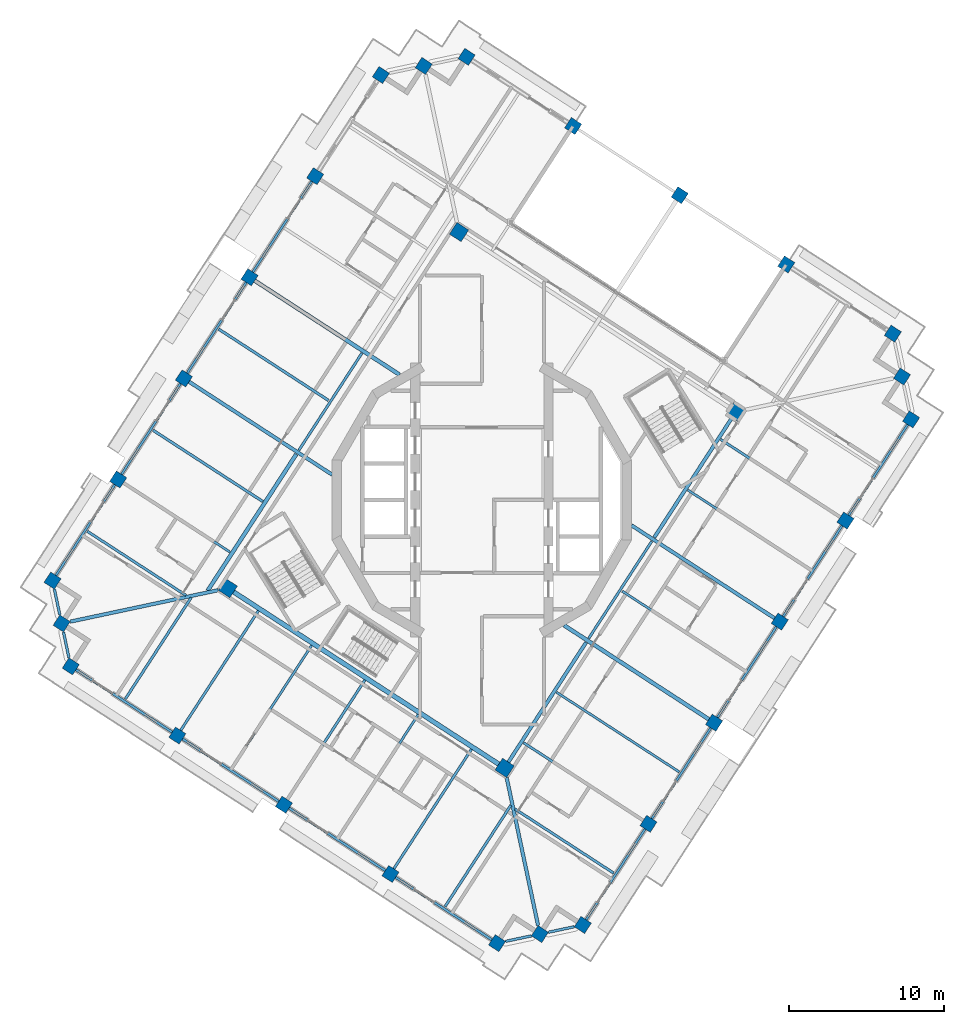
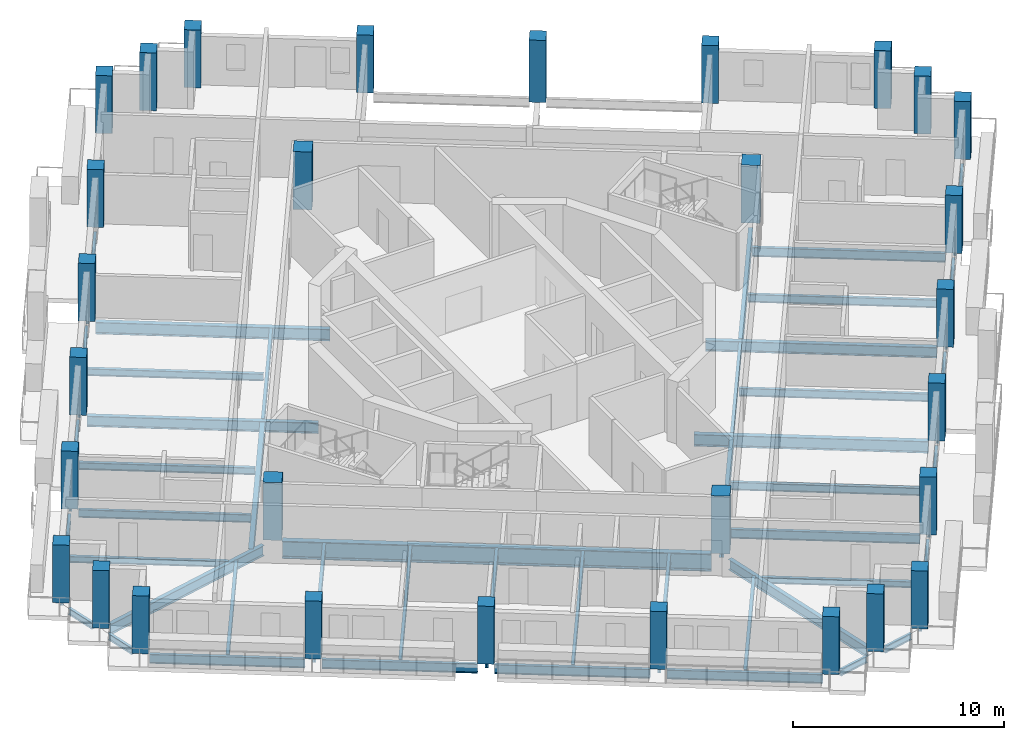
# One storey, part 1 of 17: 46 beams, 30 columns.
"""IFC4 building model written with IfcOpenShell, lengths in metres."""

from ifc_helpers import new_model, si_unit, direction, frame, origin, origin_2d, place, context, subcontext, project, spatial, rectangle, i_section, extrude, material, material_profile, profile_set, type_object, element, save


model = new_model("IFC4")

# Units and contexts
model_context = context("Model", 3, precision=1e-05, world=origin(), true_north=direction((0.0, 1.0)))
body_context = subcontext(model_context, "Body", "Model", "MODEL_VIEW")
ifc_project = project(units=[si_unit("LENGTHUNIT", "METRE"), si_unit("AREAUNIT", "SQUARE_METRE"), si_unit("VOLUMEUNIT", "CUBIC_METRE"), si_unit("PLANEANGLEUNIT", "RADIAN"), si_unit("MASSUNIT", "GRAM", prefix="KILO")], contexts=[model_context])

# Site, building, storey
site_placement = place(None, origin())
site = spatial("IfcSite", under=ifc_project, at=site_placement, CompositionType="ELEMENT")
building_placement = place(site_placement, origin())
building = spatial("IfcBuilding", under=site, at=building_placement, Name="Cantera Rosa Tower", CompositionType="ELEMENT")
storey_placement = place(building_placement, frame((0.0, 0.0, 275.699951171875)))
storey = spatial("IfcBuildingStorey", under=building, at=storey_placement, Name="L62", CompositionType="ELEMENT", Elevation=275.699951171875)

# Columns
ifc_material_1 = material(Name="Concrete C50/60", Category="concrete")
ifc_material_profile_1 = material_profile(ifc_material_1, rectangle(XDim=0.800048828125, YDim=0.800048828125, at=origin_2d()), Name="RC COLUMN RC800X800 C50/60")
ifc_profile_set_1 = profile_set([ifc_material_profile_1], Name="Concrete C50/60")
column_type_1 = type_object("IfcColumnType", Name="RC COLUMN RC800X800 C50/60", PredefinedType="COLUMN", material=ifc_profile_set_1)
for number, where, z_axis, x_axis, name in (
    (1, (26.52587890625, 10.73486328125, 0.0), (0.0, 0.0, 1.0), (0.544639035015, 0.838670567945, 0.0), "C-Z5-01 L62"),
    (2, (19.64892578125, 15.20068359375, 0.0), (0.0, 0.0, 1.0), (0.544639035015, 0.838670567945, 0.0), "C-Z5-02 L62"),
):
    element("IfcColumn", number, at=place(storey_placement, frame(where, z_axis=z_axis, x_axis=x_axis)), inside=storey, type_object=column_type_1, Name=name, PredefinedType="COLUMN", context=body_context, shape_type="SweptSolid", body=[
        extrude(rectangle(XDim=0.800048828125, YDim=0.800048828125, at=origin_2d()), origin(), (0.0, 0.0, 1.0), 3.35009765625),
    ])
column_placement = place(storey_placement, frame((12.771728515625, 19.666748046875, -0.25), z_axis=(0.0, 0.0, 1.0), x_axis=(0.544639035015, 0.838670567945, 0.0)))
element("IfcColumn", 3, at=column_placement, inside=storey, type_object=column_type_1, Name="C-Z5-03 L62", PredefinedType="COLUMN", context=body_context, shape_type="SweptSolid", body=[
    extrude(rectangle(XDim=0.800048828125, YDim=0.800048828125, at=origin_2d()), origin(), (0.0, 0.0, 1.0), 3.60009765625),
])
for number, where, z_axis, x_axis, name in (
    (4, (5.894775390625, 24.1328125, 0.0), (0.0, 0.0, 1.0), (0.544639035015, 0.838670567945, 0.0), "C-Z5-04 L62"),
    (5, (-0.982421875, 28.598876953125, 0.0), (0.0, 0.0, 1.0), (0.544639035015, 0.838670567945, 0.0), "C-Z5-05 L62"),
    (6, (-3.7490234375, 28.0107421875, 0.0), (0.0, 0.0, 1.0), (0.544639035015, 0.838670567945, 0.0), "C-Z5-06 L62"),
    (7, (-6.515625, 27.4228515625, 0.0), (0.0, 0.0, 1.0), (0.544639035015, 0.838670567945, 0.0), "C-Z5-07 L62"),
    (8, (-10.7529296875, 20.89794921875, 0.0), (0.0, 0.0, 1.0), (0.544639035015, 0.838670567945, 0.0), "C-Z5-08 L62"),
    (9, (-14.990234375, 14.373046875, 0.0), (0.0, 0.0, 1.0), (0.544639035015, 0.838670567945, 0.0), "C-Z5-09 L62"),
    (10, (-19.2275390625, 7.84814453125, 0.0), (0.0, 0.0, 1.0), (0.544639035015, 0.838670567945, 0.0), "C-Z5-10 L62"),
    (11, (-23.46484375, 1.3232421875, 0.0), (0.0, 0.0, 1.0), (0.544639035015, 0.838670567945, 0.0), "C-Z5-11 L62"),
    (12, (-27.7021484375, -5.201416015625, 0.0), (0.0, 0.0, 1.0), (0.544639035015, 0.838670567945, 0.0), "C-Z5-12 L62"),
    (13, (-27.114013671875, -7.968017578125, 0.0), (0.0, 0.0, 1.0), (0.544639035015, 0.838670567945, 0.0), "C-Z5-13 L62"),
    (14, (-26.52587890625, -10.73486328125, 0.0), (0.0, 0.0, 1.0), (0.544639035015, 0.838670567945, 0.0), "C-Z5-14 L62"),
    (15, (-19.64892578125, -15.20068359375, 0.0), (0.0, 0.0, 1.0), (0.544639035015, 0.838670567945, 0.0), "C-Z5-15 L62"),
    (16, (-12.771728515625, -19.666748046875, 0.0), (0.0, 0.0, 1.0), (0.544639035015, 0.838670567945, 0.0), "C-Z5-16 L62"),
    (17, (-5.894775390625, -24.1328125, 0.0), (0.0, 0.0, 1.0), (0.544639035015, 0.838670567945, 0.0), "C-Z5-17 L62"),
    (18, (0.982421875, -28.598876953125, 0.0), (0.0, 0.0, 1.0), (0.544639035015, 0.838670567945, 0.0), "C-Z5-18 L62"),
    (19, (3.7490234375, -28.0107421875, 0.0), (0.0, 0.0, 1.0), (0.544639035015, 0.838670567945, 0.0), "C-Z5-19 L62"),
    (20, (6.515625, -27.4228515625, 0.0), (0.0, 0.0, 1.0), (0.544639035015, 0.838670567945, 0.0), "C-Z5-20 L62"),
    (21, (10.7529296875, -20.89794921875, 0.0), (0.0, 0.0, 1.0), (0.544639035015, 0.838670567945, 0.0), "C-Z5-21 L62"),
    (22, (14.990234375, -14.373046875, 0.0), (0.0, 0.0, 1.0), (0.544639035015, 0.838670567945, 0.0), "C-Z5-22 L62"),
    (23, (19.2275390625, -7.84814453125, 0.0), (0.0, 0.0, 1.0), (0.544639035015, 0.838670567945, 0.0), "C-Z5-23 L62"),
    (24, (23.46484375, -1.3232421875, 0.0), (0.0, 0.0, 1.0), (0.544639035015, 0.838670567945, 0.0), "C-Z5-24 L62"),
    (25, (27.7021484375, 5.201416015625, 0.0), (0.0, 0.0, 1.0), (0.544639035015, 0.838670567945, 0.0), "C-Z5-25 L62"),
    (26, (27.114013671875, 7.968017578125, 0.0), (0.0, 0.0, 1.0), (0.544639035015, 0.838670567945, 0.0), "C-Z5-26 L62"),
):
    element("IfcColumn", number, at=place(storey_placement, frame(where, z_axis=z_axis, x_axis=x_axis)), inside=storey, type_object=column_type_1, Name=name, PredefinedType="COLUMN", context=body_context, shape_type="SweptSolid", body=[
        extrude(rectangle(XDim=0.800048828125, YDim=0.800048828125, at=origin_2d()), origin(), (0.0, 0.0, 1.0), 3.35009765625),
    ])
ifc_material_2 = material(Name="Concrete C50/60", Category="concrete")
ifc_material_profile_2 = material_profile(ifc_material_2, rectangle(XDim=0.89990234375, YDim=0.89990234375, at=origin_2d()), Name="RC RING COLUMN RC900X900 C50/60")
ifc_profile_set_2 = profile_set([ifc_material_profile_2], Name="Concrete C50/60")
column_type_2 = type_object("IfcColumnType", Name="RC RING COLUMN RC900X900 C50/60", PredefinedType="COLUMN", material=ifc_profile_set_2)
for number, where, z_axis, x_axis, name in (
    (27, (-1.47021484375, 17.290283203125, 0.0), (0.0, 0.0, 1.0), (0.544639035015, 0.838670567945, 0.0), "CI-Z5-1 L62"),
    (28, (-16.393310546875, -5.689453125, 0.0), (0.0, 0.0, 1.0), (0.544639035015, 0.838670567945, 0.0), "CI-Z5-2 L62"),
    (29, (1.47021484375, -17.290283203125, 0.0), (0.0, 0.0, 1.0), (0.544639035015, 0.838670567945, 0.0), "CI-Z5-3 L62"),
    (30, (16.393310546875, 5.689453125, 0.0), (0.0, 0.0, 1.0), (0.544639035015, 0.838670567945, 0.0), "CI-Z5-4 L62"),
):
    element("IfcColumn", number, at=place(storey_placement, frame(where, z_axis=z_axis, x_axis=x_axis)), inside=storey, type_object=column_type_2, Name=name, PredefinedType="COLUMN", context=body_context, shape_type="SweptSolid", body=[
        extrude(rectangle(XDim=0.89990234375, YDim=0.89990234375, at=origin_2d()), origin(), (0.0, 0.0, 1.0), 3.35009765625),
    ])

# Beams
ifc_material_3 = material(Name="Steel ASTM A992 (Fy 345 MPa)", Category="steel")
ifc_material_profile_3 = material_profile(ifc_material_3, i_section(OverallWidth=0.302001953125, OverallDepth=1.010009765625, WebThickness=0.02099609375, FlangeThickness=0.0400390625, FilletRadius=0.030029296875, at=origin_2d()), Name="W1000X350")
ifc_profile_set_3 = profile_set([ifc_material_profile_3], Name="Steel ASTM A992 (Fy 345 MPa)")
beam_type_1 = type_object("IfcBeamType", Name="STEEL BEAM W1000X350", PredefinedType="BEAM", material=ifc_profile_set_3)
beam_1_placement = place(storey_placement, frame((1.0927734375, -17.045166015625, -0.7548828125), z_axis=(-0.838671580977, 0.54463747508, 0.0), x_axis=(-0.54463747508, -0.838671580977, 0.0)))
element("IfcBeam", 31, at=beam_1_placement, inside=storey, type_object=beam_type_1, Name="RB-Z5-09 L62", PredefinedType="BEAM", context=body_context, shape_type="SweptSolid", body=[
    extrude(i_section(OverallWidth=0.302001953125, OverallDepth=1.010009765625, WebThickness=0.02099609375, FlangeThickness=0.0400390625, FilletRadius=0.030029296875, at=origin_2d()), origin(), (0.0, 0.0, 1.0), 20.39990234375),
])
ifc_material_4 = material(Name="Steel ASTM A992 (Fy 345 MPa)", Category="steel")
ifc_material_profile_4 = material_profile(ifc_material_4, i_section(OverallWidth=0.154052734375, OverallDepth=0.4599609375, WebThickness=0.009033203125, FlangeThickness=0.015380859375, FilletRadius=0.01025390625, at=origin_2d()), Name="W460X68")
ifc_profile_set_4 = profile_set([ifc_material_profile_4], Name="Steel ASTM A992 (Fy 345 MPa)")
beam_type_2 = type_object("IfcBeamType", Name="STEEL BEAM W460X68", PredefinedType="BEAM", material=ifc_profile_set_4)
beam_2_placement = place(storey_placement, frame((-23.12939453125, 1.10546875, -0.47998046875), z_axis=(0.838672777751, -0.544635632198, 0.0), x_axis=(0.544635632198, 0.838672777751, 0.0)))
element("IfcBeam", 32, at=beam_2_placement, inside=storey, type_object=beam_type_2, Name="G-Z5-07 L62", PredefinedType="BEAM", context=body_context, shape_type="SweptSolid", body=[
    extrude(i_section(OverallWidth=0.154052734375, OverallDepth=0.4599609375, WebThickness=0.009033203125, FlangeThickness=0.015380859375, FilletRadius=0.01025390625, at=origin_2d()), origin(), (0.0, 0.0, 1.0), 8.2001953125),
])
ifc_material_5 = material(Name="Steel ASTM A992 (Fy 345 MPa)", Category="steel")
ifc_material_profile_5 = material_profile(ifc_material_5, i_section(OverallWidth=0.166015625, OverallDepth=0.528076171875, WebThickness=0.009765625, FlangeThickness=0.013671875, FilletRadius=0.0126953125, at=origin_2d()), Name="W530X74")
ifc_profile_set_5 = profile_set([ifc_material_profile_5], Name="Steel ASTM A992 (Fy 345 MPa)")
beam_type_3 = type_object("IfcBeamType", Name="STEEL BEAM W530X74", PredefinedType="BEAM", material=ifc_profile_set_5)
for number, where, z_axis, x_axis, name in (
    (33, (10.41748046875, -20.68017578125, -0.513916015625), (-0.838669083999, 0.544641320086, 0.0), (-0.544641320086, -0.838669083999, 0.0), "G-Z5-08 L62"),
    (34, (23.12939453125, -1.10546875, -0.513916015625), (-0.838669083999, 0.544641320086, 0.0), (-0.544641320086, -0.838669083999, 0.0), "G-Z5-11 L62"),
):
    element("IfcBeam", number, at=place(storey_placement, frame(where, z_axis=z_axis, x_axis=x_axis)), inside=storey, type_object=beam_type_3, Name=name, PredefinedType="BEAM", context=body_context, shape_type="SweptSolid", body=[
        extrude(i_section(OverallWidth=0.166015625, OverallDepth=0.528076171875, WebThickness=0.009765625, FlangeThickness=0.013671875, FilletRadius=0.0126953125, at=origin_2d()), origin(), (0.0, 0.0, 1.0), 9.2001953125),
    ])
beam_3_placement = place(storey_placement, frame((-19.430908203125, -14.865234375, -0.513916015625), z_axis=(0.544634776066, 0.838673333724, 0.0), x_axis=(-0.838673333724, 0.544634776066, 0.0)))
element("IfcBeam", 35, at=beam_3_placement, inside=storey, type_object=beam_type_3, Name="G-Z5-12 L62", PredefinedType="BEAM", context=body_context, shape_type="SweptSolid", body=[
    extrude(i_section(OverallWidth=0.166015625, OverallDepth=0.528076171875, WebThickness=0.009765625, FlangeThickness=0.013671875, FilletRadius=0.0126953125, at=origin_2d()), origin(), (0.0, 0.0, 1.0), 9.19970703125),
])
beam_4_placement = place(storey_placement, frame((-12.553955078125, -19.331298828125, -0.513916015625), z_axis=(0.544641320086, 0.838669083999, 0.0), x_axis=(-0.838669083999, 0.544641320086, 0.0)))
element("IfcBeam", 36, at=beam_4_placement, inside=storey, type_object=beam_type_3, Name="G-Z5-13 L62", PredefinedType="BEAM", context=body_context, shape_type="SweptSolid", body=[
    extrude(i_section(OverallWidth=0.166015625, OverallDepth=0.528076171875, WebThickness=0.009765625, FlangeThickness=0.013671875, FilletRadius=0.0126953125, at=origin_2d()), origin(), (0.0, 0.0, 1.0), 9.2001953125),
])
beam_5_placement = place(storey_placement, frame((-5.6767578125, -23.79736328125, -0.513916015625), z_axis=(0.544622654601, 0.838681205283, 0.0), x_axis=(-0.838681205283, 0.544622654601, 0.0)))
element("IfcBeam", 37, at=beam_5_placement, inside=storey, type_object=beam_type_3, Name="G-Z5-14 L62", PredefinedType="BEAM", context=body_context, shape_type="SweptSolid", body=[
    extrude(i_section(OverallWidth=0.166015625, OverallDepth=0.528076171875, WebThickness=0.009765625, FlangeThickness=0.013671875, FilletRadius=0.0126953125, at=origin_2d()), origin(), (0.0, 0.0, 1.0), 9.199951171875),
])
beam_6_placement = place(storey_placement, frame((-11.807373046875, 3.20849609375, -0.513916015625), z_axis=(0.544626910795, 0.838678441381, 0.0), x_axis=(-0.838678441381, 0.544626910795, 0.0)))
element("IfcBeam", 38, at=beam_6_placement, inside=storey, type_object=beam_type_3, Name="RB-Z5-02 L62", PredefinedType="BEAM", context=body_context, shape_type="SweptSolid", body=[
    extrude(i_section(OverallWidth=0.166015625, OverallDepth=0.528076171875, WebThickness=0.009765625, FlangeThickness=0.013671875, FilletRadius=0.0126953125, at=origin_2d()), origin(), (0.0, 0.0, 1.0), 7.479736328125),
])
beam_7_placement = place(storey_placement, frame((6.894775390625, -8.93701171875, -0.513916015625), z_axis=(0.544649868382, 0.838663532575, 0.0), x_axis=(-0.838663532575, 0.544649868382, 0.0)))
element("IfcBeam", 39, at=beam_7_placement, inside=storey, type_object=beam_type_3, Name="RB-Z5-05 L62", PredefinedType="BEAM", context=body_context, shape_type="SweptSolid", body=[
    extrude(i_section(OverallWidth=0.166015625, OverallDepth=0.528076171875, WebThickness=0.009765625, FlangeThickness=0.013671875, FilletRadius=0.0126953125, at=origin_2d()), origin(), (0.0, 0.0, 1.0), 7.47998046875),
])
ifc_material_6 = material(Name="Steel ASTM A992 (Fy 345 MPa)", Category="steel")
ifc_material_profile_6 = material_profile(ifc_material_6, i_section(OverallWidth=0.22802734375, OverallDepth=0.60205078125, WebThickness=0.010498046875, FlangeThickness=0.014892578125, FilletRadius=0.0126953125, at=origin_2d()), Name="W610X101")
ifc_profile_set_6 = profile_set([ifc_material_profile_6], Name="Steel ASTM A992 (Fy 345 MPa)")
beam_type_4 = type_object("IfcBeamType", Name="STEEL BEAM W610X101", PredefinedType="BEAM", material=ifc_profile_set_6)
for number, where, z_axis, x_axis, name in (
    (40, (-26.560791015625, -7.8505859375, -0.551025390625), (0.978148167214, 0.20790902572, 0.0), (-0.20790902572, 0.978148167214, 0.0), "CB-Z5-02 L62"),
    (41, (3.63134765625, -27.45751953125, -0.551025390625), (-0.20790902572, 0.978148167214, 0.0), (-0.978148167214, -0.20790902572, 0.0), "CB-Z5-03 L62"),
):
    element("IfcBeam", number, at=place(storey_placement, frame(where, z_axis=z_axis, x_axis=x_axis)), inside=storey, type_object=beam_type_4, Name=name, PredefinedType="BEAM", context=body_context, shape_type="SweptSolid", body=[
        extrude(i_section(OverallWidth=0.22802734375, OverallDepth=0.60205078125, WebThickness=0.010498046875, FlangeThickness=0.014892578125, FilletRadius=0.0126953125, at=origin_2d()), origin(), (0.0, 0.0, 1.0), 9.758056640625),
    ])
for number, where, z_axis, x_axis, name in (
    (42, (1.71533203125, -16.912841796875, -0.551025390625), (0.54463982867, 0.838670052539, 0.0), (-0.838670052539, 0.54463982867, 0.0), "RB-Z5-04 L62"),
    (43, (11.132080078125, -2.412109375, -0.551025390625), (0.54463982867, 0.838670052539, 0.0), (-0.838670052539, 0.54463982867, 0.0), "RB-Z5-06 L62"),
):
    element("IfcBeam", number, at=place(storey_placement, frame(where, z_axis=z_axis, x_axis=x_axis)), inside=storey, type_object=beam_type_4, Name=name, PredefinedType="BEAM", context=body_context, shape_type="SweptSolid", body=[
        extrude(i_section(OverallWidth=0.22802734375, OverallDepth=0.60205078125, WebThickness=0.010498046875, FlangeThickness=0.014892578125, FilletRadius=0.0126953125, at=origin_2d()), origin(), (0.0, 0.0, 1.0), 9.2099609375),
    ])
ifc_material_7 = material(Name="Steel ASTM A992 (Fy 345 MPa)", Category="steel")
ifc_material_profile_7 = material_profile(ifc_material_7, i_section(OverallWidth=0.22900390625, OverallDepth=0.612060546875, WebThickness=0.011962890625, FlangeThickness=0.01953125, FilletRadius=0.0126953125, at=origin_2d()), Name="W610X125")
ifc_profile_set_7 = profile_set([ifc_material_profile_7], Name="Steel ASTM A992 (Fy 345 MPa)")
beam_type_5 = type_object("IfcBeamType", Name="STEEL BEAM W610X125", PredefinedType="BEAM", material=ifc_profile_set_7)
for number, where, z_axis, x_axis, name in (
    (44, (-18.89208984375, 7.63037109375, -0.555908203125), (0.838673569952, -0.544634412302, 0.0), (0.544634412302, 0.838673569952, 0.0), "G-Z5-06 L62"),
    (45, (18.89208984375, -7.63037109375, -0.555908203125), (-0.838673569952, 0.544634412302, 0.0), (-0.544634412302, -0.838673569952, 0.0), "G-Z5-10 L62"),
):
    element("IfcBeam", number, at=place(storey_placement, frame(where, z_axis=z_axis, x_axis=x_axis)), inside=storey, type_object=beam_type_5, Name=name, PredefinedType="BEAM", context=body_context, shape_type="SweptSolid", body=[
        extrude(i_section(OverallWidth=0.22900390625, OverallDepth=0.612060546875, WebThickness=0.011962890625, FlangeThickness=0.01953125, FilletRadius=0.0126953125, at=origin_2d()), origin(), (0.0, 0.0, 1.0), 11.009033203125),
    ])
ifc_material_8 = material(Name="Steel ASTM A992 (Fy 345 MPa)", Category="steel")
ifc_material_profile_8 = material_profile(ifc_material_8, i_section(OverallWidth=0.25390625, OverallDepth=0.677978515625, WebThickness=0.01171875, FlangeThickness=0.016357421875, FilletRadius=0.01513671875, at=origin_2d()), Name="W690X125")
ifc_profile_set_8 = profile_set([ifc_material_profile_8], Name="Steel ASTM A992 (Fy 345 MPa)")
beam_type_6 = type_object("IfcBeamType", Name="STEEL BEAM W690X125", PredefinedType="BEAM", material=ifc_profile_set_8)
for number, where, z_axis, x_axis, name in (
    (46, (-14.65478515625, 14.1552734375, -0.5888671875), (0.838661833747, -0.544652484265, 0.0), (0.544652484265, 0.838661833747, 0.0), "G-Z5-05 L62"),
    (47, (14.65478515625, -14.1552734375, -0.5888671875), (-0.838661833747, 0.544652484265, 0.0), (-0.544652484265, -0.838661833747, 0.0), "G-Z5-09 L62"),
):
    element("IfcBeam", number, at=place(storey_placement, frame(where, z_axis=z_axis, x_axis=x_axis)), inside=storey, type_object=beam_type_6, Name=name, PredefinedType="BEAM", context=body_context, shape_type="SweptSolid", body=[
        extrude(i_section(OverallWidth=0.25390625, OverallDepth=0.677978515625, WebThickness=0.01171875, FlangeThickness=0.016357421875, FilletRadius=0.01513671875, at=origin_2d()), origin(), (0.0, 0.0, 1.0), 11.141357421875),
    ])
beam_8_placement = place(storey_placement, frame((-17.695068359375, -5.857666015625, -0.5888671875), z_axis=(0.544635575355, 0.838672814665, 0.0), x_axis=(-0.838672814665, 0.544635575355, 0.0)))
element("IfcBeam", 48, at=beam_8_placement, inside=storey, type_object=beam_type_6, Name="RB-Z5-01 L62", PredefinedType="BEAM", context=body_context, shape_type="SweptSolid", body=[
    extrude(i_section(OverallWidth=0.25390625, OverallDepth=0.677978515625, WebThickness=0.01171875, FlangeThickness=0.016357421875, FilletRadius=0.01513671875, at=origin_2d()), origin(), (0.0, 0.0, 1.0), 10.510009765625),
])
ifc_material_9 = material(Name="Steel ASTM A992 (Fy 345 MPa)", Category="steel")
ifc_material_profile_9 = material_profile(ifc_material_9, i_section(OverallWidth=0.1708984375, OverallDepth=0.35595703125, WebThickness=0.00732421875, FlangeThickness=0.01171875, FilletRadius=0.010009765625, at=origin_2d()), Name="W360X51")
ifc_profile_set_9 = profile_set([ifc_material_profile_9], Name="Steel ASTM A992 (Fy 345 MPa)")
beam_type_7 = type_object("IfcBeamType", Name="STEEL JOIST W360X51", PredefinedType="JOIST", material=ifc_profile_set_9)
beam_9_placement = place(storey_placement, frame((-25.457763671875, -2.020751953125, -0.427978515625), z_axis=(0.838680170462, -0.54462424815, 0.0), x_axis=(0.54462424815, 0.838680170462, 0.0)))
element("IfcBeam", 49, at=beam_9_placement, inside=storey, type_object=beam_type_7, Name="B-Z5-09 L62", PredefinedType="JOIST", context=body_context, shape_type="SweptSolid", body=[
    extrude(i_section(OverallWidth=0.1708984375, OverallDepth=0.35595703125, WebThickness=0.00732421875, FlangeThickness=0.01171875, FilletRadius=0.010009765625, at=origin_2d()), origin(), (0.0, 0.0, 1.0), 7.590087890625),
])
beam_10_placement = place(storey_placement, frame((8.508544921875, -24.07861328125, -0.427978515625), z_axis=(-0.838670629323, 0.544638940502, 0.0), x_axis=(-0.544638940502, -0.838670629323, 0.0)))
element("IfcBeam", 50, at=beam_10_placement, inside=storey, type_object=beam_type_7, Name="B-Z5-10 L62", PredefinedType="JOIST", context=body_context, shape_type="SweptSolid", body=[
    extrude(i_section(OverallWidth=0.1708984375, OverallDepth=0.35595703125, WebThickness=0.00732421875, FlangeThickness=0.01171875, FilletRadius=0.010009765625, at=origin_2d()), origin(), (0.0, 0.0, 1.0), 7.58984375),
])
for number, where, z_axis, x_axis, name in (
    (51, (-23.005859375, -12.842041015625, -0.427978515625), (0.544641754757, 0.838668801718, 0.0), (-0.838668801718, 0.544641754757, 0.0), "B-Z5-15 L62"),
    (52, (-2.37451171875, -26.239990234375, -0.427978515625), (0.54465605183, 0.838659516851, 0.0), (-0.838659516851, 0.54465605183, 0.0), "B-Z5-18 L62"),
):
    element("IfcBeam", number, at=place(storey_placement, frame(where, z_axis=z_axis, x_axis=x_axis)), inside=storey, type_object=beam_type_7, Name=name, PredefinedType="JOIST", context=body_context, shape_type="SweptSolid", body=[
        extrude(i_section(OverallWidth=0.1708984375, OverallDepth=0.35595703125, WebThickness=0.00732421875, FlangeThickness=0.01171875, FilletRadius=0.010009765625, at=origin_2d()), origin(), (0.0, 0.0, 1.0), 7.800048828125),
    ])
ifc_material_10 = material(Name="Steel ASTM A992 (Fy 345 MPa)", Category="steel")
ifc_material_profile_10 = material_profile(ifc_material_10, i_section(OverallWidth=0.177978515625, OverallDepth=0.406005859375, WebThickness=0.0078125, FlangeThickness=0.0126953125, FilletRadius=0.01025390625, at=origin_2d()), Name="W410X60")
ifc_profile_set_10 = profile_set([ifc_material_profile_10], Name="Steel ASTM A992 (Fy 345 MPa)")
beam_type_8 = type_object("IfcBeamType", Name="STEEL JOIST W410X60", PredefinedType="JOIST", material=ifc_profile_set_10)
for number, where, z_axis, x_axis, name in (
    (53, (-16.983154296875, 11.029052734375, -0.452880859375), (0.838670615657, -0.544638961546, 0.0), (0.544638961546, 0.838670615657, 0.0), "B-Z5-07 L62"),
    (54, (-21.220458984375, 4.504150390625, -0.452880859375), (0.838670615657, -0.544638961546, 0.0), (0.544638961546, 0.838670615657, 0.0), "B-Z5-08 L62"),
):
    element("IfcBeam", number, at=place(storey_placement, frame(where, z_axis=z_axis, x_axis=x_axis)), inside=storey, type_object=beam_type_8, Name=name, PredefinedType="JOIST", context=body_context, shape_type="SweptSolid", body=[
        extrude(i_section(OverallWidth=0.177978515625, OverallDepth=0.406005859375, WebThickness=0.0078125, FlangeThickness=0.0126953125, FilletRadius=0.01025390625, at=origin_2d()), origin(), (0.0, 0.0, 1.0), 8.4501953125),
    ])
ifc_material_11 = material(Name="Steel ASTM A992 (Fy 345 MPa)", Category="steel")
ifc_material_profile_11 = material_profile(ifc_material_11, i_section(OverallWidth=0.154052734375, OverallDepth=0.4599609375, WebThickness=0.009033203125, FlangeThickness=0.015380859375, FilletRadius=0.01025390625, at=origin_2d()), Name="W460X68")
ifc_profile_set_11 = profile_set([ifc_material_profile_11], Name="Steel ASTM A992 (Fy 345 MPa)")
beam_type_9 = type_object("IfcBeamType", Name="STEEL JOIST W460X68", PredefinedType="JOIST", material=ifc_profile_set_11)
beam_11_placement = place(storey_placement, frame((12.745849609375, -17.5537109375, -0.47998046875), z_axis=(-0.838679048974, 0.544625975154, 0.0), x_axis=(-0.544625975154, -0.838679048974, 0.0)))
element("IfcBeam", 55, at=beam_11_placement, inside=storey, type_object=beam_type_9, Name="B-Z5-11 L62", PredefinedType="JOIST", context=body_context, shape_type="SweptSolid", body=[
    extrude(i_section(OverallWidth=0.154052734375, OverallDepth=0.4599609375, WebThickness=0.009033203125, FlangeThickness=0.015380859375, FilletRadius=0.01025390625, at=origin_2d()), origin(), (0.0, 0.0, 1.0), 9.449951171875),
])
for number, where, z_axis, x_axis, name in (
    (56, (16.983154296875, -11.029052734375, -0.47998046875), (-0.838667248419, 0.544644146603, 0.0), (-0.544644146603, -0.838667248419, 0.0), "B-Z5-12 L62"),
    (57, (21.220458984375, -4.504150390625, -0.47998046875), (-0.838667248419, 0.544644146603, 0.0), (-0.544644146603, -0.838667248419, 0.0), "B-Z5-13 L62"),
    (58, (-16.128662109375, -17.30810546875, -0.47998046875), (0.544644146603, 0.838667248419, 0.0), (-0.838667248419, 0.544644146603, 0.0), "B-Z5-16 L62"),
):
    element("IfcBeam", number, at=place(storey_placement, frame(where, z_axis=z_axis, x_axis=x_axis)), inside=storey, type_object=beam_type_9, Name=name, PredefinedType="JOIST", context=body_context, shape_type="SweptSolid", body=[
        extrude(i_section(OverallWidth=0.154052734375, OverallDepth=0.4599609375, WebThickness=0.009033203125, FlangeThickness=0.015380859375, FilletRadius=0.01025390625, at=origin_2d()), origin(), (0.0, 0.0, 1.0), 9.4501953125),
    ])
beam_12_placement = place(storey_placement, frame((-9.25146484375, -21.77392578125, -0.47998046875), z_axis=(0.544637775879, 0.838671385636, 0.0), x_axis=(-0.838671385636, 0.544637775879, 0.0)))
element("IfcBeam", 59, at=beam_12_placement, inside=storey, type_object=beam_type_9, Name="B-Z5-17 L62", PredefinedType="JOIST", context=body_context, shape_type="SweptSolid", body=[
    extrude(i_section(OverallWidth=0.154052734375, OverallDepth=0.4599609375, WebThickness=0.009033203125, FlangeThickness=0.015380859375, FilletRadius=0.01025390625, at=origin_2d()), origin(), (0.0, 0.0, 1.0), 9.44970703125),
])
ifc_material_12 = material(Name="Steel ASTM A992 (Fy 345 MPa)", Category="steel")
ifc_material_profile_12 = material_profile(ifc_material_12, i_section(OverallWidth=0.1708984375, OverallDepth=0.35595703125, WebThickness=0.00732421875, FlangeThickness=0.01171875, FilletRadius=0.010009765625, at=origin_2d()), Name="W360X51")
ifc_profile_set_12 = profile_set([ifc_material_profile_12], Name="Steel ASTM A992 (Fy 345 MPa)")
beam_type_10 = type_object("IfcBeamType", Name="STEEL SPANDREL BEAM W360X51", PredefinedType="SPANDREL", material=ifc_profile_set_12)
for number, where, z_axis, x_axis, name in (
    (60, (-27.58447265625, -5.7548828125, -0.427978515625), (0.207888006632, -0.978152634663, 0.0), (0.978152634663, 0.207888006632, 0.0), "EB-Z5-12 L62"),
    (61, (-26.996337890625, -8.521484375, -0.427978515625), (0.207888006632, -0.978152634663, 0.0), (0.978152634663, 0.207888006632, 0.0), "EB-Z5-13 L62"),
):
    element("IfcBeam", number, at=place(storey_placement, frame(where, z_axis=z_axis, x_axis=x_axis)), inside=storey, type_object=beam_type_10, Name=name, PredefinedType="SPANDREL", context=body_context, shape_type="SweptSolid", body=[
        extrude(i_section(OverallWidth=0.1708984375, OverallDepth=0.35595703125, WebThickness=0.00732421875, FlangeThickness=0.01171875, FilletRadius=0.010009765625, at=origin_2d()), origin(), (0.0, 0.0, 1.0), 1.697021484375),
    ])
for number, where, z_axis, x_axis, name in (
    (62, (1.53564453125, -28.481201171875, -0.427978515625), (0.978158850918, 0.20785875582, 0.0), (-0.20785875582, 0.978158850918, 0.0), "EB-Z5-18 L62"),
    (63, (4.30224609375, -27.893310546875, -0.427978515625), (0.978129595322, 0.207996381593, 0.0), (-0.207996381593, 0.978129595322, 0.0), "EB-Z5-19 L62"),
):
    element("IfcBeam", number, at=place(storey_placement, frame(where, z_axis=z_axis, x_axis=x_axis)), inside=storey, type_object=beam_type_10, Name=name, PredefinedType="SPANDREL", context=body_context, shape_type="SweptSolid", body=[
        extrude(i_section(OverallWidth=0.1708984375, OverallDepth=0.35595703125, WebThickness=0.00732421875, FlangeThickness=0.01171875, FilletRadius=0.010009765625, at=origin_2d()), origin(), (0.0, 0.0, 1.0), 1.697265625),
    ])
ifc_material_13 = material(Name="Steel ASTM A992 (Fy 345 MPa)", Category="steel")
ifc_material_profile_13 = material_profile(ifc_material_13, i_section(OverallWidth=0.154052734375, OverallDepth=0.4599609375, WebThickness=0.009033203125, FlangeThickness=0.015380859375, FilletRadius=0.01025390625, at=origin_2d()), Name="W460X68")
ifc_profile_set_13 = profile_set([ifc_material_profile_13], Name="Steel ASTM A992 (Fy 345 MPa)")
beam_type_11 = type_object("IfcBeamType", Name="STEEL SPANDREL BEAM W460X68", PredefinedType="SPANDREL", material=ifc_profile_set_13)
for number, where, z_axis, x_axis, name in (
    (64, (-10.970703125, 20.5625, -0.47998046875), (-0.544651451949, -0.838662504164, 0.0), (0.838662504164, -0.544651451949, 0.0), "EB-Z5-08 L62"),
    (65, (-15.2080078125, 14.03759765625, -0.47998046875), (-0.544651451949, -0.838662504164, 0.0), (0.838662504164, -0.544651451949, 0.0), "EB-Z5-09 L62"),
):
    element("IfcBeam", number, at=place(storey_placement, frame(where, z_axis=z_axis, x_axis=x_axis)), inside=storey, type_object=beam_type_11, Name=name, PredefinedType="SPANDREL", context=body_context, shape_type="SweptSolid", body=[
        extrude(i_section(OverallWidth=0.154052734375, OverallDepth=0.4599609375, WebThickness=0.009033203125, FlangeThickness=0.015380859375, FilletRadius=0.01025390625, at=origin_2d()), origin(), (0.0, 0.0, 1.0), 6.980224609375),
    ])
for number, where, z_axis, x_axis, name in (
    (66, (-19.4453125, 7.5126953125, -0.47998046875), (-0.544667428764, -0.838652128146, 0.0), (0.838652128146, -0.544667428764, 0.0), "EB-Z5-10 L62"),
    (67, (-23.6826171875, 0.98779296875, -0.47998046875), (-0.544667428764, -0.838652128146, 0.0), (0.838652128146, -0.544667428764, 0.0), "EB-Z5-11 L62"),
):
    element("IfcBeam", number, at=place(storey_placement, frame(where, z_axis=z_axis, x_axis=x_axis)), inside=storey, type_object=beam_type_11, Name=name, PredefinedType="SPANDREL", context=body_context, shape_type="SweptSolid", body=[
        extrude(i_section(OverallWidth=0.154052734375, OverallDepth=0.4599609375, WebThickness=0.009033203125, FlangeThickness=0.015380859375, FilletRadius=0.01025390625, at=origin_2d()), origin(), (0.0, 0.0, 1.0), 6.97998046875),
    ])
for number, where, z_axis, x_axis, name in (
    (68, (6.7333984375, -27.08740234375, -0.47998046875), (0.544651451949, 0.838662504164, 0.0), (-0.838662504164, 0.544651451949, 0.0), "EB-Z5-20 L62"),
    (69, (10.970703125, -20.5625, -0.47998046875), (0.544651451949, 0.838662504164, 0.0), (-0.838662504164, 0.544651451949, 0.0), "EB-Z5-21 L62"),
    (70, (15.2080078125, -14.03759765625, -0.47998046875), (0.544651451949, 0.838662504164, 0.0), (-0.838662504164, 0.544651451949, 0.0), "EB-Z5-22 L62"),
):
    element("IfcBeam", number, at=place(storey_placement, frame(where, z_axis=z_axis, x_axis=x_axis)), inside=storey, type_object=beam_type_11, Name=name, PredefinedType="SPANDREL", context=body_context, shape_type="SweptSolid", body=[
        extrude(i_section(OverallWidth=0.154052734375, OverallDepth=0.4599609375, WebThickness=0.009033203125, FlangeThickness=0.015380859375, FilletRadius=0.01025390625, at=origin_2d()), origin(), (0.0, 0.0, 1.0), 6.980224609375),
    ])
for number, where, z_axis, x_axis, name in (
    (71, (19.4453125, -7.5126953125, -0.47998046875), (0.544667428764, 0.838652128146, 0.0), (-0.838652128146, 0.544667428764, 0.0), "EB-Z5-23 L62"),
    (72, (23.6826171875, -0.98779296875, -0.47998046875), (0.544667428764, 0.838652128146, 0.0), (-0.838652128146, 0.544667428764, 0.0), "EB-Z5-24 L62"),
):
    element("IfcBeam", number, at=place(storey_placement, frame(where, z_axis=z_axis, x_axis=x_axis)), inside=storey, type_object=beam_type_11, Name=name, PredefinedType="SPANDREL", context=body_context, shape_type="SweptSolid", body=[
        extrude(i_section(OverallWidth=0.154052734375, OverallDepth=0.4599609375, WebThickness=0.009033203125, FlangeThickness=0.015380859375, FilletRadius=0.01025390625, at=origin_2d()), origin(), (0.0, 0.0, 1.0), 6.97998046875),
    ])
ifc_material_14 = material(Name="Steel ASTM A992 (Fy 345 MPa)", Category="steel")
ifc_material_profile_14 = material_profile(ifc_material_14, i_section(OverallWidth=0.166015625, OverallDepth=0.528076171875, WebThickness=0.009765625, FlangeThickness=0.013671875, FilletRadius=0.0126953125, at=origin_2d()), Name="W530X74")
ifc_profile_set_14 = profile_set([ifc_material_profile_14], Name="Steel ASTM A992 (Fy 345 MPa)")
beam_type_12 = type_object("IfcBeamType", Name="STEEL SPANDREL BEAM W530X74", PredefinedType="SPANDREL", material=ifc_profile_set_14)
beam_13_placement = place(storey_placement, frame((-26.1904296875, -10.95263671875, -0.513916015625), z_axis=(0.838669679097, -0.544640403719, 0.0), x_axis=(0.544640403719, 0.838669679097, 0.0)))
element("IfcBeam", 73, at=beam_13_placement, inside=storey, type_object=beam_type_12, Name="EB-Z5-14 L62", PredefinedType="SPANDREL", context=body_context, shape_type="SweptSolid", body=[
    extrude(i_section(OverallWidth=0.166015625, OverallDepth=0.528076171875, WebThickness=0.009765625, FlangeThickness=0.013671875, FilletRadius=0.0126953125, at=origin_2d()), origin(), (0.0, 0.0, 1.0), 7.39990234375),
])
beam_14_placement = place(storey_placement, frame((-19.3134765625, -15.418701171875, -0.513916015625), z_axis=(0.838679465365, -0.544625333946, 0.0), x_axis=(0.544625333946, 0.838679465365, 0.0)))
element("IfcBeam", 74, at=beam_14_placement, inside=storey, type_object=beam_type_12, Name="EB-Z5-15 L62", PredefinedType="SPANDREL", context=body_context, shape_type="SweptSolid", body=[
    extrude(i_section(OverallWidth=0.166015625, OverallDepth=0.528076171875, WebThickness=0.009765625, FlangeThickness=0.013671875, FilletRadius=0.0126953125, at=origin_2d()), origin(), (0.0, 0.0, 1.0), 7.400146484375),
])
beam_15_placement = place(storey_placement, frame((-12.436279296875, -19.884765625, -0.513916015625), z_axis=(0.838669679097, -0.544640403719, 0.0), x_axis=(0.544640403719, 0.838669679097, 0.0)))
element("IfcBeam", 75, at=beam_15_placement, inside=storey, type_object=beam_type_12, Name="EB-Z5-16 L62", PredefinedType="SPANDREL", context=body_context, shape_type="SweptSolid", body=[
    extrude(i_section(OverallWidth=0.166015625, OverallDepth=0.528076171875, WebThickness=0.009765625, FlangeThickness=0.013671875, FilletRadius=0.0126953125, at=origin_2d()), origin(), (0.0, 0.0, 1.0), 7.39990234375),
])
beam_16_placement = place(storey_placement, frame((-5.559326171875, -24.350830078125, -0.513916015625), z_axis=(0.838679465365, -0.544625333946, 0.0), x_axis=(0.544625333946, 0.838679465365, 0.0)))
element("IfcBeam", 76, at=beam_16_placement, inside=storey, type_object=beam_type_12, Name="EB-Z5-17 L62", PredefinedType="SPANDREL", context=body_context, shape_type="SweptSolid", body=[
    extrude(i_section(OverallWidth=0.166015625, OverallDepth=0.528076171875, WebThickness=0.009765625, FlangeThickness=0.013671875, FilletRadius=0.0126953125, at=origin_2d()), origin(), (0.0, 0.0, 1.0), 7.400146484375),
])

save(model, "model.ifc")
